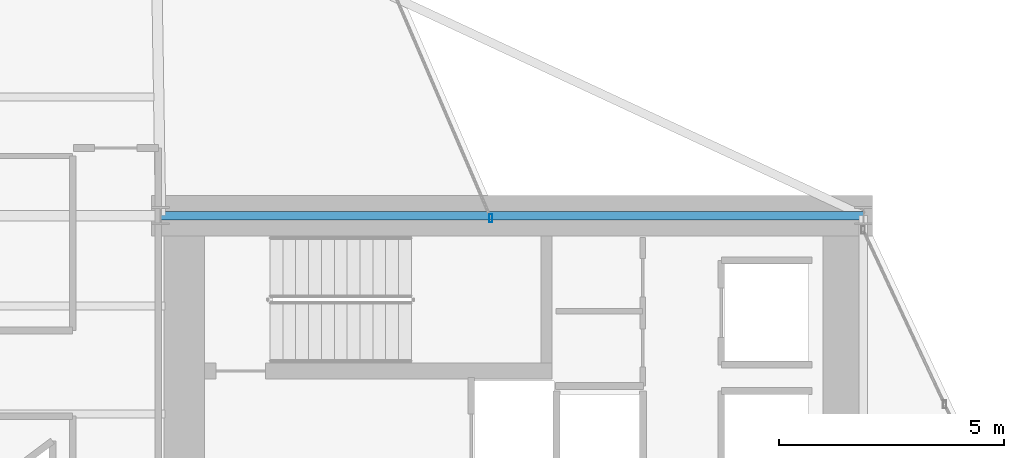
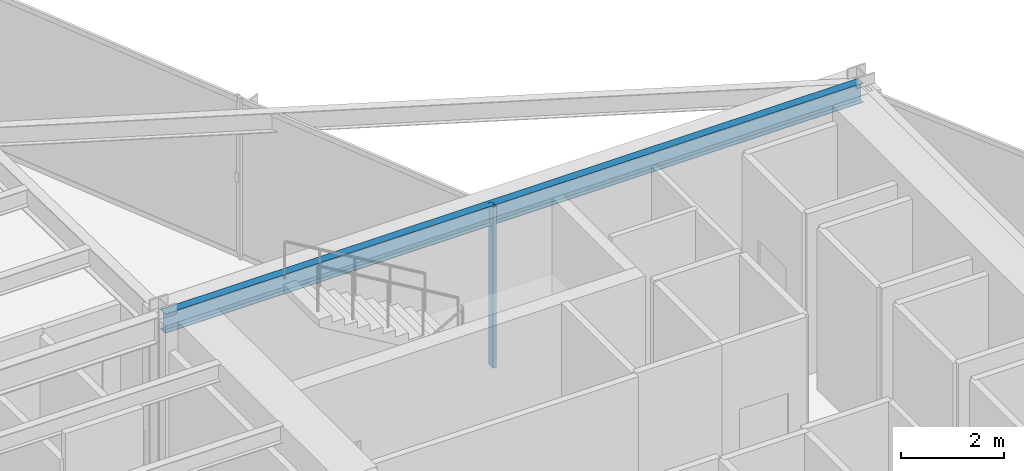
# One storey, part 15 of 27: 1 beam, 1 member, 1 element without a shape of its own.
"""IFC4 building model written with IfcOpenShell, lengths in metres."""

from ifc_helpers import new_model, si_unit, direction, frame, origin, origin_2d, place, context, subcontext, project, spatial, hollow_rectangle, i_section, extrude, material, layer, layer_set, material_profile, profile_set, type_object, element, aggregate, save


model = new_model("IFC4")

# Units and contexts
model_context = context("Model", 3, precision=1e-05, world=origin(), true_north=direction((0.0, 1.0)))
body_context = subcontext(model_context, "Body", "Model", "MODEL_VIEW")
ifc_project = project(units=[si_unit("LENGTHUNIT", "METRE"), si_unit("AREAUNIT", "SQUARE_METRE"), si_unit("VOLUMEUNIT", "CUBIC_METRE"), si_unit("PLANEANGLEUNIT", "RADIAN"), si_unit("MASSUNIT", "GRAM", prefix="KILO")], contexts=[model_context])

# Site, building, storey
site_placement = place(None, origin())
site = spatial("IfcSite", under=ifc_project, at=site_placement, CompositionType="ELEMENT")
building_placement = place(site_placement, origin())
building = spatial("IfcBuilding", under=site, at=building_placement, Name="Veymaron Broadcast Tower", CompositionType="ELEMENT")
storey_placement = place(building_placement, frame((0.0, 0.0, 86.39990234375)))
storey = spatial("IfcBuildingStorey", under=building, at=storey_placement, Name="L19", CompositionType="ELEMENT", Elevation=86.39990234375)

# Beam
ifc_material_1 = material(Name="Structural steel ASTM A992 Gr 50", Category="steel")
ifc_material_profile_1 = material_profile(ifc_material_1, i_section(OverallWidth=0.19091796875, OverallDepth=0.4599609375, WebThickness=0.010009765625, FlangeThickness=0.01611328125, at=origin_2d()), Name="W460X82")
ifc_profile_set_1 = profile_set([ifc_material_profile_1], Name="Structural steel ASTM A992 Gr 50")
beam_type = type_object("IfcBeamType", Name="BM-SP1", PredefinedType="SPANDREL", material=ifc_profile_set_1)
beam_placement = place(storey_placement, frame((39.0, 32.0, 3.580078125), z_axis=(1.0, 0.0, 0.0), x_axis=(0.0, 1.0, 0.0)))
element("IfcBeam", 1, at=beam_placement, inside=storey, type_object=beam_type, Name="L19 primary structural floor girder", PredefinedType="SPANDREL", context=body_context, shape_type="SweptSolid", body=[
    extrude(i_section(OverallWidth=0.19091796875, OverallDepth=0.4599609375, WebThickness=0.010009765625, FlangeThickness=0.01611328125, at=origin_2d()), origin(), (0.0, 0.0, 1.0), 15.60009765625),
])

# Curtain wall, member
ifc_material_2 = material(Name="Anodised aluminium AA 6063-T6 and laminated low-E dark glass", Category="aluminium")
ifc_layer = layer(ifc_material_2, 0.179931640625)
ifc_layer_set = layer_set([ifc_layer], Name="Anodised aluminium AA 6063-T6 and laminated low-E dark glass")
curtain_wall_type = type_object("IfcCurtainWallType", Name="CW-SYS-02", PredefinedType="NOTDEFINED", material=ifc_layer_set)
curtain_wall_placement = place(storey_placement, origin())
curtain_wall = element("IfcCurtainWall", 2, at=curtain_wall_placement, inside=storey, type_object=curtain_wall_type, Name="L19 dark-glass curtain wall CW-L19-E6-1", PredefinedType="NOTDEFINED")
ifc_material_3 = material(Name="Anodised aluminium AA 6063-T6", Category="aluminium")
ifc_material_profile_2 = material_profile(ifc_material_3, hollow_rectangle(XDim=0.074951171875, YDim=0.179931640625, WallThickness=0.0048828125, at=origin_2d()), Name="AL180X75X5")
ifc_profile_set_2 = profile_set([ifc_material_profile_2], Name="Anodised aluminium AA 6063-T6")
member_type = type_object("IfcMemberType", Name="CW-MUL-02", PredefinedType="MULLION", material=ifc_profile_set_2)
member_placement = place(storey_placement, frame((46.327880859375, 31.94482421875, 0.0), z_axis=(0.0, 0.0, 1.0), x_axis=(1.0, 0.0, 0.0)))
member = element("IfcMember", 3, at=member_placement, type_object=member_type, Name="CW-L19-E6-1 mullion 0", PredefinedType="MULLION", context=body_context, shape_type="SweptSolid", body=[
    extrude(hollow_rectangle(XDim=0.074951171875, YDim=0.179931640625, WallThickness=0.0048828125, at=origin_2d()), origin(), (0.0, 0.0, 1.0), 3.81005859375),
])
aggregate(curtain_wall, [member])

save(model, "model.ifc")
